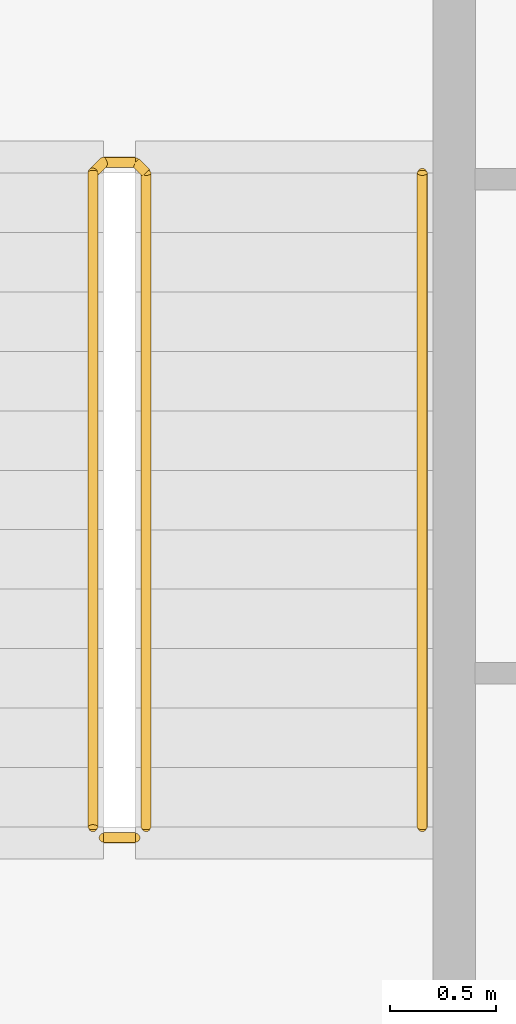
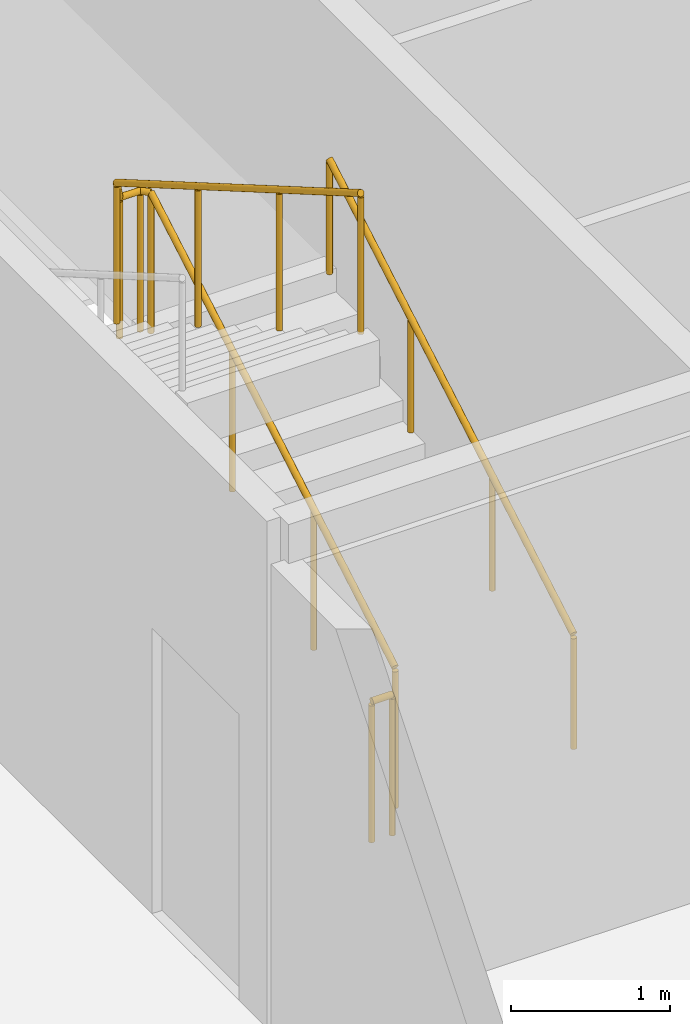
# One storey, part 28 of 29: 3 railings.
"""IFC4 building model written with IfcOpenShell, lengths in metres."""

from ifc_helpers import new_model, si_unit, direction, frame, origin, origin_2d, place, context, subcontext, project, spatial, circle, extrude, material, type_object, element, save


model = new_model("IFC4")

# Units and contexts
model_context = context("Model", 3, precision=1e-05, world=origin(), true_north=direction((0.0, 1.0)))
body_context = subcontext(model_context, "Body", "Model", "MODEL_VIEW")
ifc_project = project(units=[si_unit("LENGTHUNIT", "METRE"), si_unit("AREAUNIT", "SQUARE_METRE"), si_unit("VOLUMEUNIT", "CUBIC_METRE"), si_unit("PLANEANGLEUNIT", "RADIAN"), si_unit("MASSUNIT", "GRAM", prefix="KILO")], contexts=[model_context])

# Site, building, storey
site_placement = place(None, origin())
site = spatial("IfcSite", under=ifc_project, at=site_placement, CompositionType="ELEMENT")
building_placement = place(site_placement, origin())
building = spatial("IfcBuilding", under=site, at=building_placement, Name="Kheshtan School and Residences Tower", CompositionType="ELEMENT")
storey_placement = place(building_placement, frame((0.0, 0.0, 121.39990234375)))
storey = spatial("IfcBuildingStorey", under=building, at=storey_placement, Name="L28", CompositionType="ELEMENT", Elevation=121.39990234375)

# Railings
ifc_material_1 = material(Name="Stainless steel balustrade", Category="steel")
railing_type_1 = type_object("IfcRailingType", Name="Stair guard 1100", PredefinedType="GUARDRAIL", material=ifc_material_1)
railing_1_placement = place(storey_placement, frame((35.0, 80.89990234375, 0.16259765625)))
element("IfcRailing", 1, at=railing_1_placement, inside=storey, type_object=railing_type_1, Name="L28 ST3 stair guard 1", PredefinedType="GUARDRAIL", context=body_context, shape_type="SweptSolid", body=[
    extrude(circle(Radius=0.02392578125, at=origin_2d()), frame((0.0, 0.0, 1.076171875), z_axis=(0.0, 0.864890721111, 0.501960198159), x_axis=(-1.0, 0.0, 0.0)), (0.0, 0.0, 1.0), 3.561279296875),
    extrude(circle(Radius=0.02392578125, at=origin_2d()), frame((0.0, 3.080078125, 2.86376953125), z_axis=(-0.707106781187, 0.707106781187, 0.0), x_axis=(-0.707106781187, -0.707106781187, 0.0)), (0.0, 0.0, 1.0), 0.07080078125),
    extrude(circle(Radius=0.02392578125, at=origin_2d()), frame((-0.050048828125, 3.130126953125, 2.86376953125), z_axis=(-1.0, 0.0, 0.0), x_axis=(0.0, -1.0, 0.0)), (0.0, 0.0, 1.0), 0.14990234375),
    extrude(circle(Radius=0.02392578125, at=origin_2d()), frame((-0.199951171875, 3.130126953125, 2.86376953125), z_axis=(-0.282583949758, -0.282583949758, 0.916674763849), x_axis=(0.707106781187, -0.707106781187, 0.0)), (0.0, 0.0, 1.0), 0.177001953125),
    extrude(circle(Radius=0.02392578125, at=origin_2d()), frame((-0.25, 3.080078125, 3.02587890625), z_axis=(0.0, -0.864890721111, 0.501960198159), x_axis=(1.0, 0.0, 0.0)), (0.0, 0.0, 1.0), 3.561279296875),
    extrude(circle(Radius=0.02099609375, at=origin_2d()), origin(), (0.0, 0.0, 1.0), 1.052001953125),
    extrude(circle(Radius=0.02099609375, at=origin_2d()), frame((0.0, 1.026611328125, 0.595947265625)), (0.0, 0.0, 1.0), 1.052001953125),
    extrude(circle(Radius=0.02099609375, at=origin_2d()), frame((0.0, 2.053466796875, 1.191650390625)), (0.0, 0.0, 1.0), 1.052001953125),
    extrude(circle(Radius=0.02099609375, at=origin_2d()), frame((0.0, 3.080078125, 1.78759765625)), (0.0, 0.0, 1.0), 1.052001953125),
    extrude(circle(Radius=0.02099609375, at=origin_2d()), frame((-0.050048828125, 3.130126953125, 1.78759765625)), (0.0, 0.0, 1.0), 1.052001953125),
    extrude(circle(Radius=0.02099609375, at=origin_2d()), frame((-0.199951171875, 3.130126953125, 1.78759765625)), (0.0, 0.0, 1.0), 1.052001953125),
    extrude(circle(Radius=0.02099609375, at=origin_2d()), frame((-0.25, 3.080078125, 1.949951171875)), (0.0, 0.0, 1.0), 1.052001953125),
    extrude(circle(Radius=0.02099609375, at=origin_2d()), frame((-0.25, 2.053466796875, 2.5458984375)), (0.0, 0.0, 1.0), 1.052001953125),
    extrude(circle(Radius=0.02099609375, at=origin_2d()), frame((-0.25, 1.026611328125, 3.1416015625)), (0.0, 0.0, 1.0), 1.052001953125),
    extrude(circle(Radius=0.02099609375, at=origin_2d()), frame((-0.25, 0.0, 3.737548828125)), (0.0, 0.0, 1.0), 1.052001953125),
])
railing_2_placement = place(storey_placement, frame((34.949951171875, 80.85009765625, 0.0)))
element("IfcRailing", 2, at=railing_2_placement, inside=storey, type_object=railing_type_1, Name="L28 ST3 stair guard 2", PredefinedType="GUARDRAIL", context=body_context, shape_type="SweptSolid", body=[
    extrude(circle(Radius=0.02392578125, at=origin_2d()), frame((0.0, 0.0, 1.076171875), z_axis=(-1.0, 0.0, 0.0), x_axis=(0.0, -1.0, 0.0)), (0.0, 0.0, 1.0), 0.14990234375),
    extrude(circle(Radius=0.02099609375, at=origin_2d()), origin(), (0.0, 0.0, 1.0), 1.052001953125),
    extrude(circle(Radius=0.02099609375, at=origin_2d()), frame((-0.14990234375, 0.0, 0.0)), (0.0, 0.0, 1.0), 1.052001953125),
])
ifc_material_2 = material(Name="Stainless steel handrail", Category="steel")
railing_type_2 = type_object("IfcRailingType", Name="Stair handrail 900", PredefinedType="HANDRAIL", material=ifc_material_2)
railing_3_placement = place(storey_placement, frame((36.300048828125, 80.89990234375, 0.16259765625)))
element("IfcRailing", 3, at=railing_3_placement, inside=storey, type_object=railing_type_2, Name="L28 ST3 stair handrail 1", PredefinedType="HANDRAIL", context=body_context, shape_type="SweptSolid", body=[
    extrude(circle(Radius=0.02392578125, at=origin_2d()), frame((0.0, 0.0, 0.8759765625), z_axis=(0.0, 0.864890721111, 0.501960198159), x_axis=(-1.0, 0.0, 0.0)), (0.0, 0.0, 1.0), 3.561279296875),
    extrude(circle(Radius=0.02099609375, at=origin_2d()), origin(), (0.0, 0.0, 1.0), 0.851806640625),
    extrude(circle(Radius=0.02099609375, at=origin_2d()), frame((0.0, 1.026611328125, 0.595947265625)), (0.0, 0.0, 1.0), 0.851806640625),
    extrude(circle(Radius=0.02099609375, at=origin_2d()), frame((0.0, 2.053466796875, 1.191650390625)), (0.0, 0.0, 1.0), 0.851806640625),
    extrude(circle(Radius=0.02099609375, at=origin_2d()), frame((0.0, 3.080078125, 1.78759765625)), (0.0, 0.0, 1.0), 0.851806640625),
])

save(model, "model.ifc")
